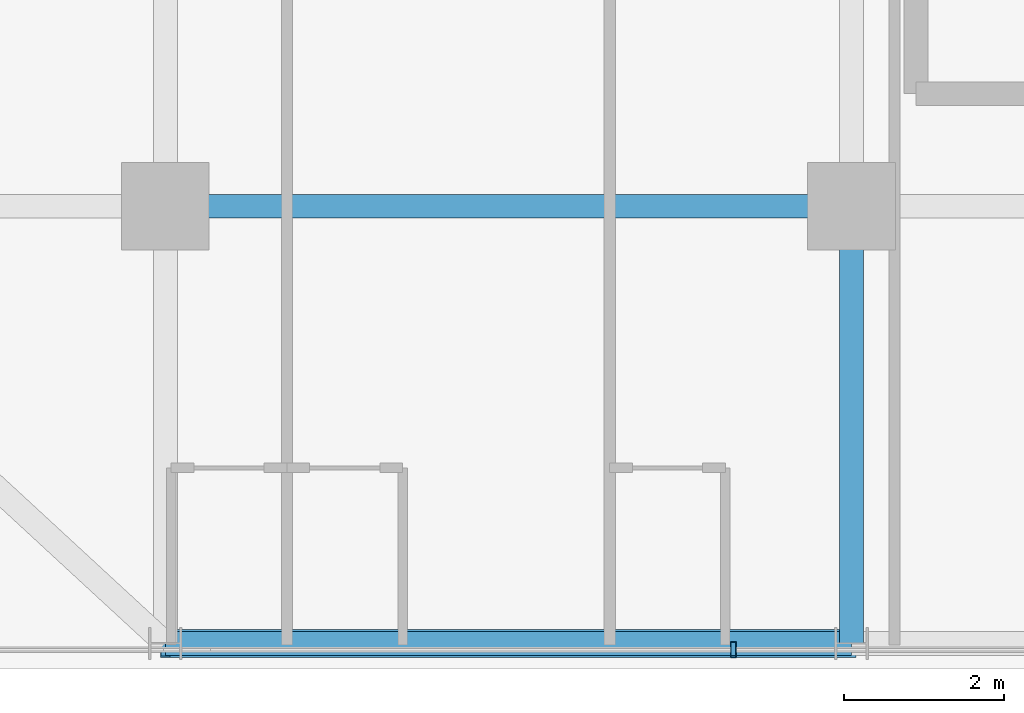
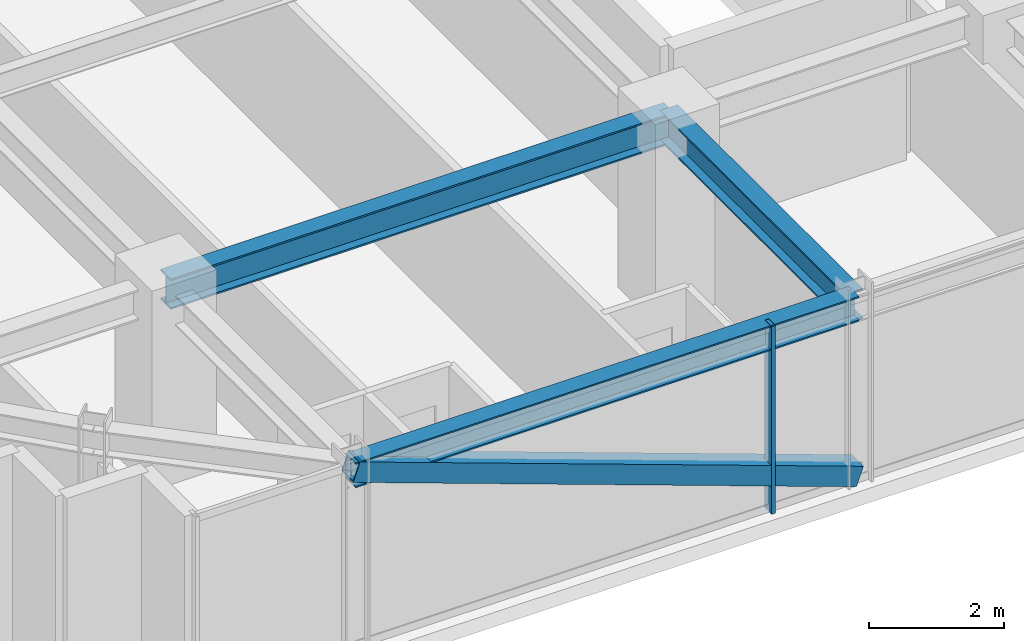
# One storey, part 3 of 36: 3 beams, 2 members, 1 element without a shape of its own.
"""IFC4 building model written with IfcOpenShell, lengths in metres."""

from ifc_helpers import new_model, si_unit, direction, frame, origin, origin_2d, place, context, subcontext, project, spatial, hollow_rectangle, i_section, extrude, source, transform, mapped, material, material_profile, profile_set, type_object, element, aggregate, save


model = new_model("IFC4")

# Units and contexts
model_context = context("Model", 3, precision=1e-05, world=origin(), true_north=direction((0.0, 1.0)))
body_context = subcontext(model_context, "Body", "Model", "MODEL_VIEW")
ifc_project = project(units=[si_unit("LENGTHUNIT", "METRE"), si_unit("AREAUNIT", "SQUARE_METRE"), si_unit("VOLUMEUNIT", "CUBIC_METRE"), si_unit("PLANEANGLEUNIT", "RADIAN"), si_unit("MASSUNIT", "GRAM", prefix="KILO")], contexts=[model_context])

# Site, building, storey
site_placement = place(None, origin())
site = spatial("IfcSite", under=ifc_project, at=site_placement, CompositionType="ELEMENT")
building_placement = place(site_placement, origin())
building = spatial("IfcBuilding", under=site, at=building_placement, Name="Nahalor Promenade Grand Hotel", CompositionType="ELEMENT")
storey_placement = place(building_placement, frame((0.0, 0.0, 174.550048828125)))
storey = spatial("IfcBuildingStorey", under=building, at=storey_placement, Name="L44", CompositionType="ELEMENT", Elevation=174.550048828125)

# Beams
ifc_material_1 = material(Name="Steel S355JR", Category="steel")
ifc_material_profile_1 = material_profile(ifc_material_1, i_section(OverallWidth=0.3, OverallDepth=0.55, WebThickness=0.015, FlangeThickness=0.029, at=origin_2d()), Name="HEB 550")
ifc_profile_set_1 = profile_set([ifc_material_profile_1], Name="Steel S355JR")
beam_type_1 = type_object("IfcBeamType", Name="Beam-Girder-HEB550", PredefinedType="BEAM", material=ifc_profile_set_1)
shared_shape_1 = source(origin(), body_context, "Body", "SweptSolid", [
    extrude(i_section(OverallWidth=0.3, OverallDepth=0.55, WebThickness=0.015, FlangeThickness=0.029, at=origin_2d()), origin(), (0.0, 0.0, 1.0), 8.60009765625),
])
beam_1_placement = place(storey_placement, frame((-17.0, -17.0, 3.114990234375), z_axis=(1.0, 0.0, 0.0), x_axis=(0.0, 1.0, 0.0)))
element("IfcBeam", 1, at=beam_1_placement, inside=storey, type_object=beam_type_1, Name="BM-L44-GX-0-1", PredefinedType="BEAM", context=body_context, shape_type="MappedRepresentation", body=[
    mapped(shared_shape_1, transform((0.0, 0.0, 0.0), scale=1.0)),
])
shared_shape_2 = source(origin(), body_context, "Body", "SweptSolid", [
    extrude(i_section(OverallWidth=0.3, OverallDepth=0.55, WebThickness=0.015, FlangeThickness=0.029, at=origin_2d()), origin(), (0.0, 0.0, 1.0), 5.47998046875),
])
beam_2_placement = place(storey_placement, frame((-8.39990234375, -22.47998046875, 3.114990234375), z_axis=(0.0, 1.0, 0.0), x_axis=(-1.0, 0.0, 0.0)))
element("IfcBeam", 2, at=beam_2_placement, inside=storey, type_object=beam_type_1, Name="BM-L44-GY-1-0", PredefinedType="BEAM", context=body_context, shape_type="MappedRepresentation", body=[
    mapped(shared_shape_2, transform((0.0, 0.0, 0.0), scale=1.0)),
])
ifc_material_profile_2 = material_profile(ifc_material_1, i_section(OverallWidth=0.3, OverallDepth=0.45, WebThickness=0.014, FlangeThickness=0.026, at=origin_2d()), Name="HEB 450")
ifc_profile_set_2 = profile_set([ifc_material_profile_2], Name="Steel S355JR")
beam_type_2 = type_object("IfcBeamType", Name="Beam-Spandrel-HEB450", PredefinedType="SPANDREL", material=ifc_profile_set_2)
shared_shape_3 = source(origin(), body_context, "Body", "SweptSolid", [
    extrude(i_section(OverallWidth=0.3, OverallDepth=0.45, WebThickness=0.014, FlangeThickness=0.026, at=origin_2d()), origin(), (0.0, 0.0, 1.0), 8.60009765625),
])
beam_3_placement = place(storey_placement, frame((-17.0, -22.47998046875, 3.1650390625), z_axis=(1.0, 0.0, 0.0), x_axis=(0.0, 1.0, 0.0)))
element("IfcBeam", 3, at=beam_3_placement, inside=storey, type_object=beam_type_2, Name="BM-L44-SP-S-0", PredefinedType="SPANDREL", context=body_context, shape_type="MappedRepresentation", body=[
    mapped(shared_shape_3, transform((0.0, 0.0, 0.0), scale=1.0)),
])

# Member
ifc_material_profile_3 = material_profile(ifc_material_1, hollow_rectangle(XDim=0.35, YDim=0.35, WallThickness=0.02, at=origin_2d()), Name="SHS 350x350x20")
ifc_profile_set_3 = profile_set([ifc_material_profile_3], Name="Steel S355JR")
member_type_1 = type_object("IfcMemberType", Name="Mem-VoidBrace-SHS350", PredefinedType="BRACE", material=ifc_profile_set_3)
shared_shape_4 = source(origin(), body_context, "Body", "SweptSolid", [
    extrude(hollow_rectangle(XDim=0.35, YDim=0.35, WallThickness=0.02, at=origin_2d()), origin(), (0.0, 0.0, 1.0), 9.138427734375),
])
member_1_placement = place(storey_placement, frame((-8.39990234375, -22.47998046875, 0.14990234375), z_axis=(-0.941094643271, 0.0, 0.338143272012), x_axis=(0.0, -1.0, 0.0)))
element("IfcMember", 4, at=member_1_placement, inside=storey, type_object=member_type_1, Name="EXO-L44-S-0", PredefinedType="BRACE", context=body_context, shape_type="MappedRepresentation", body=[
    mapped(shared_shape_4, transform((0.0, 0.0, 0.0), scale=1.0)),
])

# Curtain wall, member
ifc_material_2 = material(Name="Anodised Bronze Aluminium EN AW-6063 T6", Category="aluminium")
curtain_wall_type = type_object("IfcCurtainWallType", Name="CW3 Elliptical-Void Collar Unitised Curtain Wall", PredefinedType="USERDEFINED", material=ifc_material_2)
curtain_wall_placement = place(storey_placement, origin())
curtain_wall = element("IfcCurtainWall", 5, at=curtain_wall_placement, inside=storey, type_object=curtain_wall_type, Name="L44 Curtain Wall CW-L44-S-1", ObjectType="UNITISED_CURTAIN_WALL", PredefinedType="USERDEFINED")
ifc_material_profile_4 = material_profile(ifc_material_2, hollow_rectangle(XDim=0.07, YDim=0.2, WallThickness=0.005, at=origin_2d()), Name="CWM 70x200x5")
ifc_profile_set_4 = profile_set([ifc_material_profile_4], Name="Anodised Bronze Aluminium EN AW-6063 T6")
member_type_2 = type_object("IfcMemberType", Name="CWM3 Void Collar Mullion 70x200", PredefinedType="MULLION", material=ifc_profile_set_4)
shared_shape_5 = source(origin(), body_context, "Body", "SweptSolid", [
    extrude(hollow_rectangle(XDim=0.07, YDim=0.2, WallThickness=0.005, at=origin_2d()), origin(), (0.0, 0.0, 1.0), 3.389892578125),
])
member_2_placement = place(storey_placement, frame((-9.8798828125, -22.56005859375, 0.0), z_axis=(0.0, 0.0, 1.0), x_axis=(1.0, 0.0, 0.0)))
member_2 = element("IfcMember", 6, at=member_2_placement, type_object=member_type_2, Name="CW-L44-S-1 Mullion 1", PredefinedType="MULLION", context=body_context, shape_type="MappedRepresentation", body=[
    mapped(shared_shape_5, transform((0.0, 0.0, 0.0), scale=1.0)),
])
aggregate(curtain_wall, [member_2])

save(model, "model.ifc")
